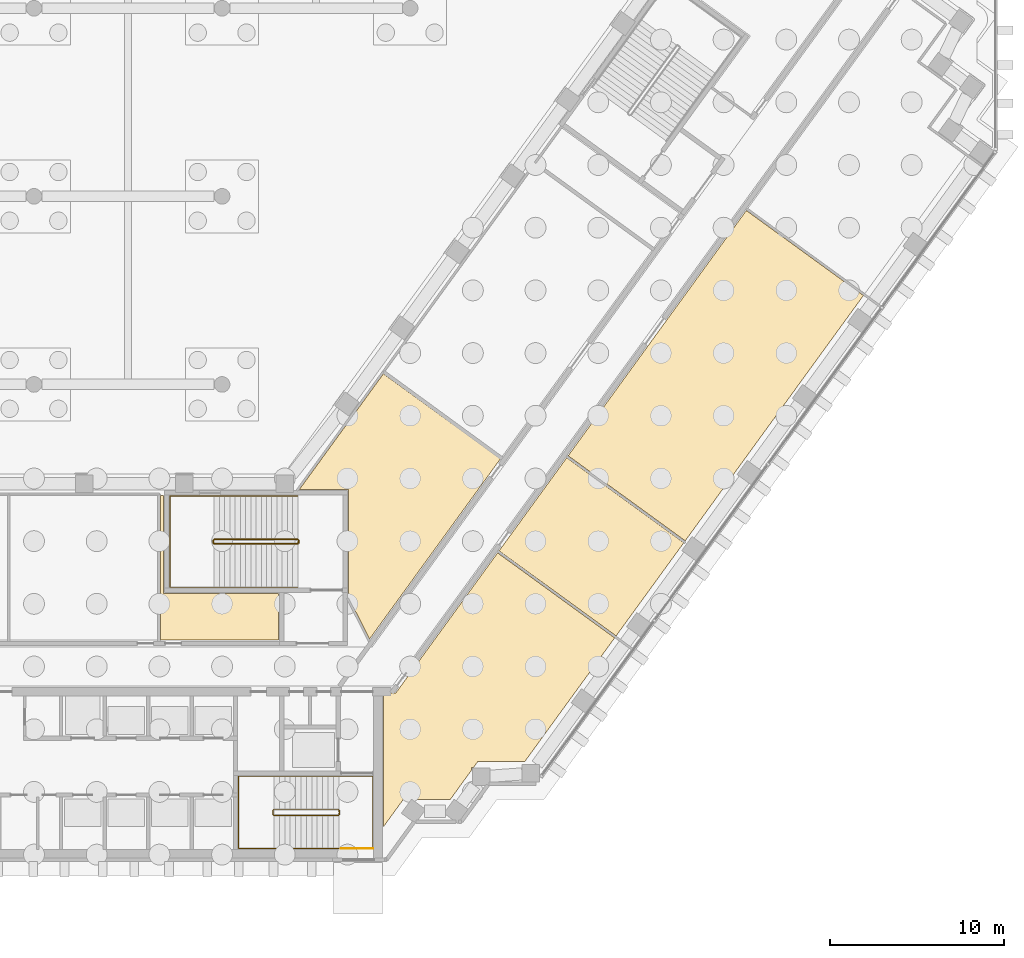
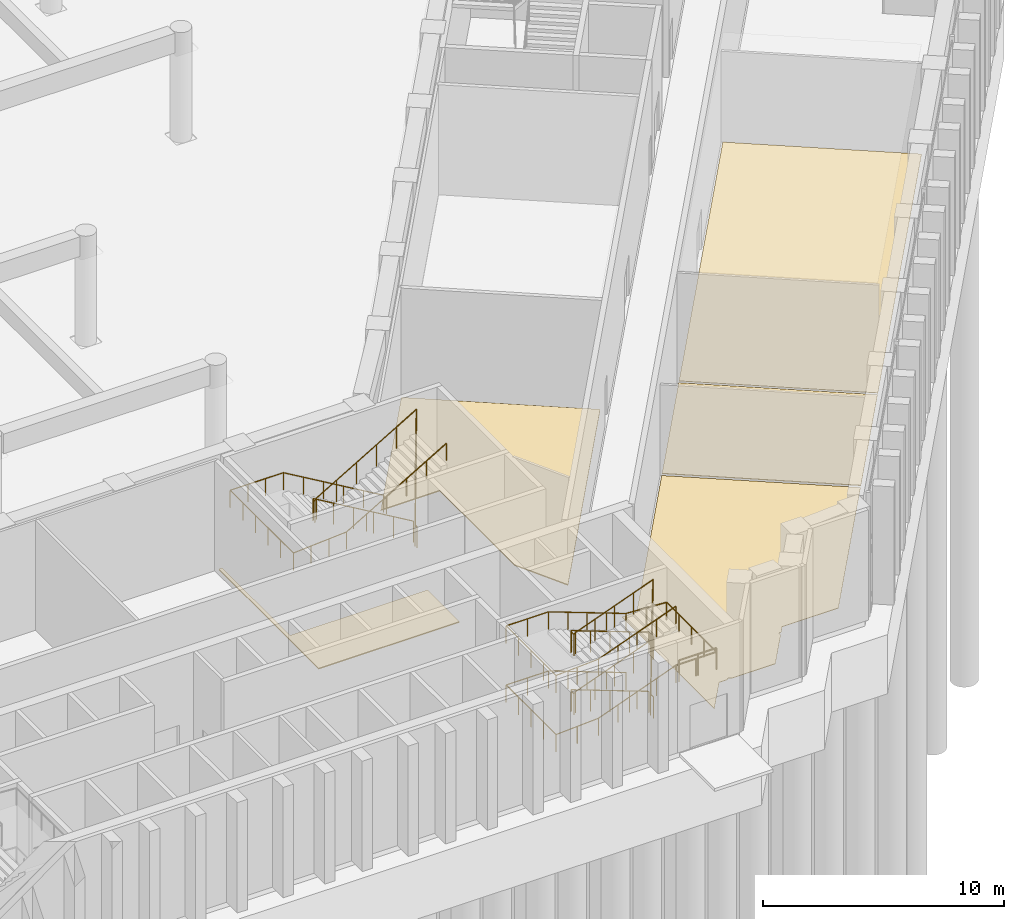
# One storey, part 27 of 32: 5 coverings, 5 railings.
"""IFC4 building model written with IfcOpenShell, lengths in metres."""

from ifc_helpers import new_model, si_unit, direction, frame, origin, origin_2d, place, context, subcontext, project, spatial, polyline, circle, outline, extrude, material, layer, layer_set, type_object, element, save


model = new_model("IFC4")

# Units and contexts
model_context = context("Model", 3, precision=1e-05, world=origin(), true_north=direction((0.0, 1.0)))
body_context = subcontext(model_context, "Body", "Model", "MODEL_VIEW")
ifc_project = project(units=[si_unit("LENGTHUNIT", "METRE"), si_unit("AREAUNIT", "SQUARE_METRE"), si_unit("VOLUMEUNIT", "CUBIC_METRE"), si_unit("PLANEANGLEUNIT", "RADIAN"), si_unit("MASSUNIT", "GRAM", prefix="KILO")], contexts=[model_context])

# Site, building, storey
site_placement = place(None, origin())
site = spatial("IfcSite", under=ifc_project, at=site_placement, CompositionType="ELEMENT")
building_placement = place(site_placement, origin())
building = spatial("IfcBuilding", under=site, at=building_placement, Name="Quipu Civic Tower", CompositionType="ELEMENT")
storey_placement = place(building_placement, origin())
storey = spatial("IfcBuildingStorey", under=building, at=storey_placement, Name="L00", CompositionType="ELEMENT", Elevation=0.0)

# Coverings
ifc_material_1 = material(Name="Carpet tile on raised access floor")
ifc_layer_1 = layer(ifc_material_1, 0.02001953125)
ifc_layer_set_1 = layer_set([ifc_layer_1], Name="Carpet tile on raised access floor")
covering_type_1 = type_object("IfcCoveringType", Name="Carpet tile floor finish 20", PredefinedType="FLOORING", material=ifc_layer_set_1)
covering_1_placement = place(storey_placement, origin())
element("IfcCovering", 1, at=covering_1_placement, inside=storey, type_object=covering_type_1, Name="Carpet tile floor finish 20", PredefinedType="FLOORING", context=body_context, shape_type="SweptSolid", body=[
    extrude(outline(polyline([(30.673095703125, 12.10302734375), (40.905029296875, 26.18798828125), (47.62890625, 21.304931640625), (37.39599609375, 7.218994140625), (30.673095703125, 12.10302734375)])), origin(), (0.0, 0.0, 1.0), 0.02001953125),
])
covering_2_placement = place(storey_placement, origin())
element("IfcCovering", 2, at=covering_2_placement, inside=storey, type_object=covering_type_1, Name="Carpet tile floor finish 20", PredefinedType="FLOORING", context=body_context, shape_type="SweptSolid", body=[
    extrude(outline(polyline([(20.070068359375, -9.195068359375), (20.070068359375, -1.52001953125), (20.77490234375, -1.51904296875), (26.6220703125, 6.529052734375), (33.344970703125, 1.64501953125), (28.181884765625, -5.4609375), (25.48193359375, -5.4619140625), (25.24609375, -5.787109375), (25.174072265625, -5.787109375), (25.1689453125, -5.787109375), (25.1650390625, -5.7880859375), (25.159912109375, -5.7890625), (25.155029296875, -5.791015625), (25.15087890625, -5.79296875), (25.14697265625, -5.794921875), (25.14306640625, -5.798095703125), (25.138916015625, -5.802001953125), (25.135986328125, -5.804931640625), (25.133056640625, -5.80908203125), (25.1298828125, -5.81298828125), (25.1279296875, -5.818115234375), (25.126953125, -5.822021484375), (25.125, -5.826904296875), (25.125, -5.83203125), (25.1240234375, -5.8369140625), (25.1240234375, -5.955078125), (23.89501953125, -7.64599609375), (21.806884765625, -7.64599609375), (21.7109375, -7.575927734375), (21.7060546875, -7.572998046875), (21.701904296875, -7.571044921875), (21.697998046875, -7.569091796875), (21.693115234375, -7.568115234375), (21.68798828125, -7.56689453125), (21.68310546875, -7.56689453125), (21.677978515625, -7.56689453125), (21.673095703125, -7.56689453125), (21.6689453125, -7.568115234375), (21.6640625, -7.570068359375), (21.658935546875, -7.572021484375), (21.655029296875, -7.573974609375), (21.65087890625, -7.576904296875), (21.64697265625, -7.580078125), (21.64404296875, -7.5830078125), (21.64111328125, -7.5869140625), (21.597900390625, -7.64599609375), (21.196044921875, -7.64599609375), (20.070068359375, -9.195068359375)])), origin(), (0.0, 0.0, 1.0), 0.02001953125),
])
ifc_material_2 = material(Name="Ceramic floor tile")
ifc_layer_2 = layer(ifc_material_2, 0.030029296875)
ifc_layer_set_2 = layer_set([ifc_layer_2], Name="Ceramic floor tile")
covering_type_2 = type_object("IfcCoveringType", Name="Ceramic tile floor finish 30", PredefinedType="FLOORING", material=ifc_layer_set_2)
covering_3_placement = place(storey_placement, origin())
element("IfcCovering", 3, at=covering_3_placement, inside=storey, type_object=covering_type_2, Name="Ceramic tile floor finish 30", PredefinedType="FLOORING", context=body_context, shape_type="SweptSolid", body=[
    extrude(outline(polyline([(26.705078125, 6.64208984375), (30.590087890625, 11.989990234375), (37.31298828125, 7.10595703125), (33.427978515625, 1.758056640625), (26.705078125, 6.64208984375)])), origin(), (0.0, 0.0, 1.0), 0.030029296875),
])
ifc_material_3 = material(Name="Sealed cement screed")
ifc_layer_3 = layer(ifc_material_3, 0.050048828125)
ifc_layer_set_3 = layer_set([ifc_layer_3], Name="Sealed cement screed")
covering_type_3 = type_object("IfcCoveringType", Name="Sealed screed floor finish 50", PredefinedType="FLOORING", material=ifc_layer_set_3)
covering_4_placement = place(storey_placement, origin())
element("IfcCovering", 4, at=covering_4_placement, inside=storey, type_object=covering_type_3, Name="Sealed screed floor finish 50", PredefinedType="FLOORING", context=body_context, shape_type="SweptSolid", body=[
    extrude(outline(polyline([(15.238037109375, 10.169921875), (20.06103515625, 16.80810546875), (26.783935546875, 11.925048828125), (19.27197265625, 1.583984375), (18.070068359375, 3.94189453125), (18.070068359375, 10.1689453125), (15.238037109375, 10.169921875)])), origin(), (0.0, 0.0, 1.0), 0.050048828125),
])
covering_5_placement = place(storey_placement, origin())
element("IfcCovering", 5, at=covering_5_placement, inside=storey, type_object=covering_type_3, Name="Sealed screed floor finish 50", PredefinedType="FLOORING", context=body_context, shape_type="SweptSolid", body=[
    extrude(outline(polyline([(7.26806640625, 1.52001953125), (7.26806640625, 9.830078125), (7.429931640625, 9.830078125), (7.429931640625, 4.180908203125), (14.030029296875, 4.179931640625), (14.030029296875, 1.52001953125), (7.26806640625, 1.52001953125)])), origin(), (0.0, 0.0, 1.0), 0.050048828125),
])

# Railings
ifc_material_4 = material(Name="Stainless steel", Category="steel")
railing_type_1 = type_object("IfcRailingType", Name="Stair guard 1100", PredefinedType="GUARDRAIL", material=ifc_material_4)
railing_1_placement = place(storey_placement, frame((17.5, -8.199951171875, 0.115478515625)))
element("IfcRailing", 6, at=railing_1_placement, inside=storey, type_object=railing_type_1, Name="Stair 2 guard", PredefinedType="GUARDRAIL", context=body_context, shape_type="SweptSolid", body=[
    extrude(circle(Radius=0.02392578125, at=origin_2d()), frame((0.0, 0.0, 1.076171875), z_axis=(-0.937193329374, 0.0, 0.348810354458), x_axis=(0.0, -1.0, 0.0)), (0.0, 0.0, 1.0), 3.96923828125),
    extrude(circle(Radius=0.02392578125, at=origin_2d()), frame((-3.719970703125, 0.0, 2.46044921875), z_axis=(-0.707106781187, -0.707106781187, 0.0), x_axis=(0.707106781187, -0.707106781187, 0.0)), (0.0, 0.0, 1.0), 0.07080078125),
    extrude(circle(Radius=0.02392578125, at=origin_2d()), frame((-3.77001953125, -0.050048828125, 2.46044921875), z_axis=(0.0, -1.0, 0.0), x_axis=(1.0, 0.0, 0.0)), (0.0, 0.0, 1.0), 0.25),
    extrude(circle(Radius=0.02392578125, at=origin_2d()), frame((-3.77001953125, -0.300048828125, 2.46044921875), z_axis=(0.3695169537, -0.3695169537, 0.852592776099), x_axis=(0.707106781187, 0.707106781187, 0.0)), (0.0, 0.0, 1.0), 0.135498046875),
    extrude(circle(Radius=0.02392578125, at=origin_2d()), frame((-3.719970703125, -0.35009765625, 2.576171875), z_axis=(0.937193329374, 0.0, 0.348810354458), x_axis=(0.0, 1.0, 0.0)), (0.0, 0.0, 1.0), 3.96923828125),
    extrude(circle(Radius=0.02392578125, at=origin_2d()), frame((0.0, -0.35009765625, 3.96044921875), z_axis=(0.164529134168, 0.986372223864, 0.0), x_axis=(-0.986372223864, 0.164529134168, 0.0)), (0.0, 0.0, 1.0), 0.30419921875),
    extrude(circle(Radius=0.02392578125, at=origin_2d()), frame((0.050048828125, -0.050048828125, 3.96044921875), z_axis=(0.0, -1.0, 0.0), x_axis=(1.0, 0.0, 0.0)), (0.0, 0.0, 1.0), 0.25),
    extrude(circle(Radius=0.02392578125, at=origin_2d()), frame((0.050048828125, -0.300048828125, 3.96044921875), z_axis=(-0.153818488509, 0.922160596963, 0.354908024706), x_axis=(-0.986372223864, -0.164529134168, 0.0)), (0.0, 0.0, 1.0), 0.325439453125),
    extrude(circle(Radius=0.02392578125, at=origin_2d()), frame((0.0, 0.0, 4.076171875), z_axis=(-0.937193329374, 0.0, 0.348810354458), x_axis=(0.0, -1.0, 0.0)), (0.0, 0.0, 1.0), 3.96923828125),
    extrude(circle(Radius=0.02392578125, at=origin_2d()), frame((-3.719970703125, 0.0, 5.46044921875), z_axis=(-0.707106781187, -0.707106781187, 0.0), x_axis=(0.707106781187, -0.707106781187, 0.0)), (0.0, 0.0, 1.0), 0.07080078125),
    extrude(circle(Radius=0.02392578125, at=origin_2d()), frame((-3.77001953125, -0.050048828125, 5.46044921875), z_axis=(0.0, -1.0, 0.0), x_axis=(1.0, 0.0, 0.0)), (0.0, 0.0, 1.0), 0.25),
    extrude(circle(Radius=0.02392578125, at=origin_2d()), frame((-3.77001953125, -0.300048828125, 5.46044921875), z_axis=(0.3695169537, -0.3695169537, 0.852592776099), x_axis=(0.707106781187, 0.707106781187, 0.0)), (0.0, 0.0, 1.0), 0.135498046875),
    extrude(circle(Radius=0.02392578125, at=origin_2d()), frame((-3.719970703125, -0.35009765625, 5.576171875), z_axis=(0.937193329374, 0.0, 0.348810354458), x_axis=(0.0, 1.0, 0.0)), (0.0, 0.0, 1.0), 3.96923828125),
    extrude(circle(Radius=0.02392578125, at=origin_2d()), frame((0.0, -0.35009765625, 6.96044921875), z_axis=(0.008330771543, 0.049943991347, -0.998717275296), x_axis=(-0.986372223864, 0.164529134168, 0.0)), (0.0, 0.0, 1.0), 6.0078125),
    extrude(circle(Radius=0.02392578125, at=origin_2d()), frame((0.050048828125, -0.050048828125, 0.96044921875), z_axis=(0.0, -1.0, 0.0), x_axis=(1.0, 0.0, 0.0)), (0.0, 0.0, 1.0), 0.25),
    extrude(circle(Radius=0.02099609375, at=origin_2d()), origin(), (0.0, 0.0, 1.0), 1.052001953125),
    extrude(circle(Radius=0.02099609375, at=origin_2d()), frame((-0.929931640625, 0.0, 0.34619140625)), (0.0, 0.0, 1.0), 1.052001953125),
    extrude(circle(Radius=0.02099609375, at=origin_2d()), frame((-1.85986328125, 0.0, 0.6923828125)), (0.0, 0.0, 1.0), 1.052001953125),
    extrude(circle(Radius=0.02099609375, at=origin_2d()), frame((-2.7900390625, 0.0, 1.038330078125)), (0.0, 0.0, 1.0), 1.052001953125),
    extrude(circle(Radius=0.02099609375, at=origin_2d()), frame((-3.719970703125, 0.0, 1.384521484375)), (0.0, 0.0, 1.0), 1.052001953125),
    extrude(circle(Radius=0.02099609375, at=origin_2d()), frame((-3.77001953125, -0.050048828125, 1.384521484375)), (0.0, 0.0, 1.0), 1.052001953125),
    extrude(circle(Radius=0.02099609375, at=origin_2d()), frame((-3.77001953125, -0.300048828125, 1.384521484375)), (0.0, 0.0, 1.0), 1.052001953125),
    extrude(circle(Radius=0.02099609375, at=origin_2d()), frame((-3.719970703125, -0.35009765625, 1.5)), (0.0, 0.0, 1.0), 1.052001953125),
    extrude(circle(Radius=0.02099609375, at=origin_2d()), frame((-2.7900390625, -0.35009765625, 1.84619140625)), (0.0, 0.0, 1.0), 1.052001953125),
    extrude(circle(Radius=0.02099609375, at=origin_2d()), frame((-1.85986328125, -0.35009765625, 2.1923828125)), (0.0, 0.0, 1.0), 1.052001953125),
    extrude(circle(Radius=0.02099609375, at=origin_2d()), frame((-0.929931640625, -0.35009765625, 2.538330078125)), (0.0, 0.0, 1.0), 1.052001953125),
    extrude(circle(Radius=0.02099609375, at=origin_2d()), frame((0.0, -0.35009765625, 2.884521484375)), (0.0, 0.0, 1.0), 1.052001953125),
    extrude(circle(Radius=0.02099609375, at=origin_2d()), frame((0.050048828125, -0.050048828125, 2.884521484375)), (0.0, 0.0, 1.0), 1.052001953125),
    extrude(circle(Radius=0.02099609375, at=origin_2d()), frame((0.050048828125, -0.300048828125, 2.884521484375)), (0.0, 0.0, 1.0), 1.052001953125),
    extrude(circle(Radius=0.02099609375, at=origin_2d()), frame((0.0, 0.0, 3.0)), (0.0, 0.0, 1.0), 1.052001953125),
    extrude(circle(Radius=0.02099609375, at=origin_2d()), frame((-0.929931640625, 0.0, 3.34619140625)), (0.0, 0.0, 1.0), 1.052001953125),
    extrude(circle(Radius=0.02099609375, at=origin_2d()), frame((-1.85986328125, 0.0, 3.6923828125)), (0.0, 0.0, 1.0), 1.052001953125),
    extrude(circle(Radius=0.02099609375, at=origin_2d()), frame((-2.7900390625, 0.0, 4.038330078125)), (0.0, 0.0, 1.0), 1.052001953125),
    extrude(circle(Radius=0.02099609375, at=origin_2d()), frame((-3.719970703125, 0.0, 4.384521484375)), (0.0, 0.0, 1.0), 1.052001953125),
    extrude(circle(Radius=0.02099609375, at=origin_2d()), frame((-3.77001953125, -0.050048828125, 4.384521484375)), (0.0, 0.0, 1.0), 1.052001953125),
    extrude(circle(Radius=0.02099609375, at=origin_2d()), frame((-3.77001953125, -0.300048828125, 4.384521484375)), (0.0, 0.0, 1.0), 1.052001953125),
    extrude(circle(Radius=0.02099609375, at=origin_2d()), frame((-3.719970703125, -0.35009765625, 4.5)), (0.0, 0.0, 1.0), 1.052001953125),
    extrude(circle(Radius=0.02099609375, at=origin_2d()), frame((-2.7900390625, -0.35009765625, 4.84619140625)), (0.0, 0.0, 1.0), 1.052001953125),
    extrude(circle(Radius=0.02099609375, at=origin_2d()), frame((-1.85986328125, -0.35009765625, 5.1923828125)), (0.0, 0.0, 1.0), 1.052001953125),
    extrude(circle(Radius=0.02099609375, at=origin_2d()), frame((-0.929931640625, -0.35009765625, 5.538330078125)), (0.0, 0.0, 1.0), 1.052001953125),
    extrude(circle(Radius=0.02099609375, at=origin_2d()), frame((0.0, -0.35009765625, 5.884521484375)), (0.0, 0.0, 1.0), 1.052001953125),
    extrude(circle(Radius=0.02099609375, at=origin_2d()), frame((0.00830078125, -0.300048828125, 4.884521484375)), (0.0, 0.0, 1.0), 1.052001953125),
    extrude(circle(Radius=0.02099609375, at=origin_2d()), frame((0.0166015625, -0.25, 3.884521484375)), (0.0, 0.0, 1.0), 1.052001953125),
    extrude(circle(Radius=0.02099609375, at=origin_2d()), frame((0.02490234375, -0.2001953125, 2.884521484375)), (0.0, 0.0, 1.0), 1.052001953125),
    extrude(circle(Radius=0.02099609375, at=origin_2d()), frame((0.033447265625, -0.150146484375, 1.884521484375)), (0.0, 0.0, 1.0), 1.052001953125),
    extrude(circle(Radius=0.02099609375, at=origin_2d()), frame((0.041748046875, -0.10009765625, 0.884521484375)), (0.0, 0.0, 1.0), 1.052001953125),
    extrude(circle(Radius=0.02099609375, at=origin_2d()), frame((0.050048828125, -0.050048828125, -0.115478515625)), (0.0, 0.0, 1.0), 1.052001953125),
    extrude(circle(Radius=0.02099609375, at=origin_2d()), frame((0.050048828125, -0.300048828125, -0.115478515625)), (0.0, 0.0, 1.0), 1.052001953125),
])
railing_2_placement = place(storey_placement, frame((15.14990234375, 7.300048828125, 0.176513671875)))
element("IfcRailing", 7, at=railing_2_placement, inside=storey, type_object=railing_type_1, Name="Stair 4 guard", PredefinedType="GUARDRAIL", context=body_context, shape_type="SweptSolid", body=[
    extrude(circle(Radius=0.02392578125, at=origin_2d()), frame((0.0, 0.0, 1.076171875), z_axis=(-0.86192857992, 0.0, 0.507029706346), x_axis=(0.0, -1.0, 0.0)), (0.0, 0.0, 1.0), 5.568603515625),
    extrude(circle(Radius=0.02392578125, at=origin_2d()), frame((-4.7998046875, 0.0, 3.8994140625), z_axis=(-0.707106781187, -0.707106781187, 0.0), x_axis=(0.707106781187, -0.707106781187, 0.0)), (0.0, 0.0, 1.0), 0.07080078125),
    extrude(circle(Radius=0.02392578125, at=origin_2d()), frame((-4.849853515625, -0.050048828125, 3.8994140625), z_axis=(0.0, -1.0, 0.0), x_axis=(1.0, 0.0, 0.0)), (0.0, 0.0, 1.0), 0.14990234375),
    extrude(circle(Radius=0.02392578125, at=origin_2d()), frame((-4.849853515625, -0.199951171875, 3.8994140625), z_axis=(0.263171338983, -0.263171338983, 0.928160380902), x_axis=(0.707106781187, 0.707106781187, 0.0)), (0.0, 0.0, 1.0), 0.190185546875),
    extrude(circle(Radius=0.02392578125, at=origin_2d()), frame((-4.7998046875, -0.25, 4.076171875), z_axis=(0.86192857992, 0.0, 0.507029706346), x_axis=(0.0, 1.0, 0.0)), (0.0, 0.0, 1.0), 5.568603515625),
    extrude(circle(Radius=0.02392578125, at=origin_2d()), frame((0.0, -0.25, 6.8994140625), z_axis=(0.008336553618, 0.033305548356, -0.999410447375), x_axis=(-0.970072785993, 0.242814311512, 0.0)), (0.0, 0.0, 1.0), 6.00341796875),
    extrude(circle(Radius=0.02392578125, at=origin_2d()), frame((0.050048828125, -0.050048828125, 0.8994140625), z_axis=(0.0, -1.0, 0.0), x_axis=(1.0, 0.0, 0.0)), (0.0, 0.0, 1.0), 0.14990234375),
    extrude(circle(Radius=0.02099609375, at=origin_2d()), origin(), (0.0, 0.0, 1.0), 1.052001953125),
    extrude(circle(Radius=0.02099609375, at=origin_2d()), frame((-0.9599609375, 0.0, 0.564697265625)), (0.0, 0.0, 1.0), 1.052001953125),
    extrude(circle(Radius=0.02099609375, at=origin_2d()), frame((-1.919921875, 0.0, 1.12939453125)), (0.0, 0.0, 1.0), 1.052001953125),
    extrude(circle(Radius=0.02099609375, at=origin_2d()), frame((-2.8798828125, 0.0, 1.694091796875)), (0.0, 0.0, 1.0), 1.052001953125),
    extrude(circle(Radius=0.02099609375, at=origin_2d()), frame((-3.83984375, 0.0, 2.2587890625)), (0.0, 0.0, 1.0), 1.052001953125),
    extrude(circle(Radius=0.02099609375, at=origin_2d()), frame((-4.7998046875, 0.0, 2.823486328125)), (0.0, 0.0, 1.0), 1.052001953125),
    extrude(circle(Radius=0.02099609375, at=origin_2d()), frame((-4.849853515625, -0.050048828125, 2.823486328125)), (0.0, 0.0, 1.0), 1.052001953125),
    extrude(circle(Radius=0.02099609375, at=origin_2d()), frame((-4.849853515625, -0.199951171875, 2.823486328125)), (0.0, 0.0, 1.0), 1.052001953125),
    extrude(circle(Radius=0.02099609375, at=origin_2d()), frame((-4.7998046875, -0.25, 3.0)), (0.0, 0.0, 1.0), 1.052001953125),
    extrude(circle(Radius=0.02099609375, at=origin_2d()), frame((-3.83984375, -0.25, 3.564697265625)), (0.0, 0.0, 1.0), 1.052001953125),
    extrude(circle(Radius=0.02099609375, at=origin_2d()), frame((-2.8798828125, -0.25, 4.12939453125)), (0.0, 0.0, 1.0), 1.052001953125),
    extrude(circle(Radius=0.02099609375, at=origin_2d()), frame((-1.919921875, -0.25, 4.694091796875)), (0.0, 0.0, 1.0), 1.052001953125),
    extrude(circle(Radius=0.02099609375, at=origin_2d()), frame((-0.9599609375, -0.25, 5.2587890625)), (0.0, 0.0, 1.0), 1.052001953125),
    extrude(circle(Radius=0.02099609375, at=origin_2d()), frame((0.0, -0.25, 5.823486328125)), (0.0, 0.0, 1.0), 1.052001953125),
    extrude(circle(Radius=0.02099609375, at=origin_2d()), frame((0.00830078125, -0.216796875, 4.823486328125)), (0.0, 0.0, 1.0), 1.052001953125),
    extrude(circle(Radius=0.02099609375, at=origin_2d()), frame((0.0166015625, -0.183349609375, 3.823486328125)), (0.0, 0.0, 1.0), 1.052001953125),
    extrude(circle(Radius=0.02099609375, at=origin_2d()), frame((0.02490234375, -0.14990234375, 2.823486328125)), (0.0, 0.0, 1.0), 1.052001953125),
    extrude(circle(Radius=0.02099609375, at=origin_2d()), frame((0.033447265625, -0.11669921875, 1.823486328125)), (0.0, 0.0, 1.0), 1.052001953125),
    extrude(circle(Radius=0.02099609375, at=origin_2d()), frame((0.041748046875, -0.08349609375, 0.823486328125)), (0.0, 0.0, 1.0), 1.052001953125),
    extrude(circle(Radius=0.02099609375, at=origin_2d()), frame((0.050048828125, -0.050048828125, -0.176513671875)), (0.0, 0.0, 1.0), 1.052001953125),
    extrude(circle(Radius=0.02099609375, at=origin_2d()), frame((0.050048828125, -0.199951171875, -0.176513671875)), (0.0, 0.0, 1.0), 1.052001953125),
])
railing_3_placement = place(storey_placement, frame((17.64990234375, -10.449951171875, 3.0)))
element("IfcRailing", 8, at=railing_3_placement, inside=storey, type_object=railing_type_1, Name="Stair 2 landing guard", PredefinedType="GUARDRAIL", context=body_context, shape_type="SweptSolid", body=[
    extrude(circle(Radius=0.02392578125, at=origin_2d()), frame((0.0, 0.0, 1.076171875), z_axis=(1.0, 0.0, 0.0), x_axis=(0.0, 1.0, 0.0)), (0.0, 0.0, 1.0), 1.800048828125),
    extrude(circle(Radius=0.02099609375, at=origin_2d()), origin(), (0.0, 0.0, 1.0), 1.052001953125),
    extrude(circle(Radius=0.02099609375, at=origin_2d()), frame((0.89990234375, 0.0, 0.0)), (0.0, 0.0, 1.0), 1.052001953125),
    extrude(circle(Radius=0.02099609375, at=origin_2d()), frame((1.800048828125, 0.0, 0.0)), (0.0, 0.0, 1.0), 1.052001953125),
])
ifc_material_5 = material(Name="Stainless steel", Category="steel")
railing_type_2 = type_object("IfcRailingType", Name="Stair handrail", PredefinedType="HANDRAIL", material=ifc_material_5)
railing_4_placement = place(storey_placement, frame((17.5, -6.300048828125, 0.115478515625)))
element("IfcRailing", 9, at=railing_4_placement, inside=storey, type_object=railing_type_2, Name="Stair 2 handrail", PredefinedType="HANDRAIL", context=body_context, shape_type="SweptSolid", body=[
    extrude(circle(Radius=0.02392578125, at=origin_2d()), frame((0.0, 0.0, 0.8759765625), z_axis=(-0.937193329374, 0.0, 0.348810354458), x_axis=(0.0, -1.0, 0.0)), (0.0, 0.0, 1.0), 3.96923828125),
    extrude(circle(Radius=0.02392578125, at=origin_2d()), frame((-3.719970703125, 0.0, 2.26025390625), z_axis=(-1.0, 0.0, 0.0), x_axis=(0.0, -1.0, 0.0)), (0.0, 0.0, 1.0), 2.030029296875),
    extrude(circle(Radius=0.02392578125, at=origin_2d()), frame((-5.75, 0.0, 2.26025390625), z_axis=(0.0, -1.0, 0.0), x_axis=(1.0, 0.0, 0.0)), (0.0, 0.0, 1.0), 4.14990234375),
    extrude(circle(Radius=0.02392578125, at=origin_2d()), frame((-5.75, -4.14990234375, 2.26025390625), z_axis=(0.99838595614, 0.0, 0.056793332201), x_axis=(0.0, 1.0, 0.0)), (0.0, 0.0, 1.0), 2.033203125),
    extrude(circle(Radius=0.02392578125, at=origin_2d()), frame((-3.719970703125, -4.14990234375, 2.3759765625), z_axis=(0.937193329374, 0.0, 0.348810354458), x_axis=(0.0, 1.0, 0.0)), (0.0, 0.0, 1.0), 3.96923828125),
    extrude(circle(Radius=0.02392578125, at=origin_2d()), frame((0.0, -4.14990234375, 3.76025390625), z_axis=(1.0, 0.0, 0.0), x_axis=(0.0, 1.0, 0.0)), (0.0, 0.0, 1.0), 1.949951171875),
    extrude(circle(Radius=0.02392578125, at=origin_2d()), frame((1.949951171875, -4.14990234375, 3.76025390625), z_axis=(0.0, 1.0, 0.0), x_axis=(-1.0, 0.0, 0.0)), (0.0, 0.0, 1.0), 4.14990234375),
    extrude(circle(Radius=0.02392578125, at=origin_2d()), frame((1.949951171875, 0.0, 3.76025390625), z_axis=(-0.998251021802, 0.0, 0.059117657858), x_axis=(0.0, -1.0, 0.0)), (0.0, 0.0, 1.0), 1.953369140625),
    extrude(circle(Radius=0.02392578125, at=origin_2d()), frame((0.0, 0.0, 3.8759765625), z_axis=(-0.937193329374, 0.0, 0.348810354458), x_axis=(0.0, -1.0, 0.0)), (0.0, 0.0, 1.0), 3.96923828125),
    extrude(circle(Radius=0.02392578125, at=origin_2d()), frame((-3.719970703125, 0.0, 5.26025390625), z_axis=(-1.0, 0.0, 0.0), x_axis=(0.0, -1.0, 0.0)), (0.0, 0.0, 1.0), 2.030029296875),
    extrude(circle(Radius=0.02392578125, at=origin_2d()), frame((-5.75, 0.0, 5.26025390625), z_axis=(0.0, -1.0, 0.0), x_axis=(1.0, 0.0, 0.0)), (0.0, 0.0, 1.0), 4.14990234375),
    extrude(circle(Radius=0.02392578125, at=origin_2d()), frame((-5.75, -4.14990234375, 5.26025390625), z_axis=(0.99838595614, 0.0, 0.056793332201), x_axis=(0.0, 1.0, 0.0)), (0.0, 0.0, 1.0), 2.033203125),
    extrude(circle(Radius=0.02392578125, at=origin_2d()), frame((-3.719970703125, -4.14990234375, 5.3759765625), z_axis=(0.937193329374, 0.0, 0.348810354458), x_axis=(0.0, 1.0, 0.0)), (0.0, 0.0, 1.0), 3.96923828125),
    extrude(circle(Radius=0.02099609375, at=origin_2d()), origin(), (0.0, 0.0, 1.0), 0.851806640625),
    extrude(circle(Radius=0.02099609375, at=origin_2d()), frame((-0.929931640625, 0.0, 0.34619140625)), (0.0, 0.0, 1.0), 0.851806640625),
    extrude(circle(Radius=0.02099609375, at=origin_2d()), frame((-1.85986328125, 0.0, 0.6923828125)), (0.0, 0.0, 1.0), 0.851806640625),
    extrude(circle(Radius=0.02099609375, at=origin_2d()), frame((-2.7900390625, 0.0, 1.038330078125)), (0.0, 0.0, 1.0), 0.851806640625),
    extrude(circle(Radius=0.02099609375, at=origin_2d()), frame((-3.719970703125, 0.0, 1.384521484375)), (0.0, 0.0, 1.0), 0.851806640625),
    extrude(circle(Radius=0.02099609375, at=origin_2d()), frame((-4.73486328125, 0.0, 1.384521484375)), (0.0, 0.0, 1.0), 0.851806640625),
    extrude(circle(Radius=0.02099609375, at=origin_2d()), frame((-5.75, 0.0, 1.384521484375)), (0.0, 0.0, 1.0), 0.851806640625),
    extrude(circle(Radius=0.02099609375, at=origin_2d()), frame((-5.75, -1.03759765625, 1.384521484375)), (0.0, 0.0, 1.0), 0.851806640625),
    extrude(circle(Radius=0.02099609375, at=origin_2d()), frame((-5.75, -2.074951171875, 1.384521484375)), (0.0, 0.0, 1.0), 0.851806640625),
    extrude(circle(Radius=0.02099609375, at=origin_2d()), frame((-5.75, -3.1123046875, 1.384521484375)), (0.0, 0.0, 1.0), 0.851806640625),
    extrude(circle(Radius=0.02099609375, at=origin_2d()), frame((-5.75, -4.14990234375, 1.384521484375)), (0.0, 0.0, 1.0), 0.851806640625),
    extrude(circle(Radius=0.02099609375, at=origin_2d()), frame((-4.73486328125, -4.14990234375, 1.4423828125)), (0.0, 0.0, 1.0), 0.851806640625),
    extrude(circle(Radius=0.02099609375, at=origin_2d()), frame((-3.719970703125, -4.14990234375, 1.5)), (0.0, 0.0, 1.0), 0.851806640625),
    extrude(circle(Radius=0.02099609375, at=origin_2d()), frame((-2.7900390625, -4.14990234375, 1.84619140625)), (0.0, 0.0, 1.0), 0.851806640625),
    extrude(circle(Radius=0.02099609375, at=origin_2d()), frame((-1.85986328125, -4.14990234375, 2.1923828125)), (0.0, 0.0, 1.0), 0.851806640625),
    extrude(circle(Radius=0.02099609375, at=origin_2d()), frame((-0.929931640625, -4.14990234375, 2.538330078125)), (0.0, 0.0, 1.0), 0.851806640625),
    extrude(circle(Radius=0.02099609375, at=origin_2d()), frame((0.0, -4.14990234375, 2.884521484375)), (0.0, 0.0, 1.0), 0.851806640625),
    extrude(circle(Radius=0.02099609375, at=origin_2d()), frame((0.97509765625, -4.14990234375, 2.884521484375)), (0.0, 0.0, 1.0), 0.851806640625),
    extrude(circle(Radius=0.02099609375, at=origin_2d()), frame((1.949951171875, -4.14990234375, 2.884521484375)), (0.0, 0.0, 1.0), 0.851806640625),
    extrude(circle(Radius=0.02099609375, at=origin_2d()), frame((1.949951171875, -3.1123046875, 2.884521484375)), (0.0, 0.0, 1.0), 0.851806640625),
    extrude(circle(Radius=0.02099609375, at=origin_2d()), frame((1.949951171875, -2.074951171875, 2.884521484375)), (0.0, 0.0, 1.0), 0.851806640625),
    extrude(circle(Radius=0.02099609375, at=origin_2d()), frame((1.949951171875, -1.03759765625, 2.884521484375)), (0.0, 0.0, 1.0), 0.851806640625),
    extrude(circle(Radius=0.02099609375, at=origin_2d()), frame((1.949951171875, 0.0, 2.884521484375)), (0.0, 0.0, 1.0), 0.851806640625),
    extrude(circle(Radius=0.02099609375, at=origin_2d()), frame((0.97509765625, 0.0, 2.9423828125)), (0.0, 0.0, 1.0), 0.851806640625),
    extrude(circle(Radius=0.02099609375, at=origin_2d()), frame((0.0, 0.0, 3.0)), (0.0, 0.0, 1.0), 0.851806640625),
    extrude(circle(Radius=0.02099609375, at=origin_2d()), frame((-0.929931640625, 0.0, 3.34619140625)), (0.0, 0.0, 1.0), 0.851806640625),
    extrude(circle(Radius=0.02099609375, at=origin_2d()), frame((-1.85986328125, 0.0, 3.6923828125)), (0.0, 0.0, 1.0), 0.851806640625),
    extrude(circle(Radius=0.02099609375, at=origin_2d()), frame((-2.7900390625, 0.0, 4.038330078125)), (0.0, 0.0, 1.0), 0.851806640625),
    extrude(circle(Radius=0.02099609375, at=origin_2d()), frame((-3.719970703125, 0.0, 4.384521484375)), (0.0, 0.0, 1.0), 0.851806640625),
    extrude(circle(Radius=0.02099609375, at=origin_2d()), frame((-4.73486328125, 0.0, 4.384521484375)), (0.0, 0.0, 1.0), 0.851806640625),
    extrude(circle(Radius=0.02099609375, at=origin_2d()), frame((-5.75, 0.0, 4.384521484375)), (0.0, 0.0, 1.0), 0.851806640625),
    extrude(circle(Radius=0.02099609375, at=origin_2d()), frame((-5.75, -1.03759765625, 4.384521484375)), (0.0, 0.0, 1.0), 0.851806640625),
    extrude(circle(Radius=0.02099609375, at=origin_2d()), frame((-5.75, -2.074951171875, 4.384521484375)), (0.0, 0.0, 1.0), 0.851806640625),
    extrude(circle(Radius=0.02099609375, at=origin_2d()), frame((-5.75, -3.1123046875, 4.384521484375)), (0.0, 0.0, 1.0), 0.851806640625),
    extrude(circle(Radius=0.02099609375, at=origin_2d()), frame((-5.75, -4.14990234375, 4.384521484375)), (0.0, 0.0, 1.0), 0.851806640625),
    extrude(circle(Radius=0.02099609375, at=origin_2d()), frame((-4.73486328125, -4.14990234375, 4.4423828125)), (0.0, 0.0, 1.0), 0.851806640625),
    extrude(circle(Radius=0.02099609375, at=origin_2d()), frame((-3.719970703125, -4.14990234375, 4.5)), (0.0, 0.0, 1.0), 0.851806640625),
    extrude(circle(Radius=0.02099609375, at=origin_2d()), frame((-2.7900390625, -4.14990234375, 4.84619140625)), (0.0, 0.0, 1.0), 0.851806640625),
    extrude(circle(Radius=0.02099609375, at=origin_2d()), frame((-1.85986328125, -4.14990234375, 5.1923828125)), (0.0, 0.0, 1.0), 0.851806640625),
    extrude(circle(Radius=0.02099609375, at=origin_2d()), frame((-0.929931640625, -4.14990234375, 5.538330078125)), (0.0, 0.0, 1.0), 0.851806640625),
    extrude(circle(Radius=0.02099609375, at=origin_2d()), frame((0.0, -4.14990234375, 5.884521484375)), (0.0, 0.0, 1.0), 0.851806640625),
])
railing_5_placement = place(storey_placement, frame((15.14990234375, 9.800048828125, 0.176513671875)))
element("IfcRailing", 10, at=railing_5_placement, inside=storey, type_object=railing_type_2, Name="Stair 4 handrail", PredefinedType="HANDRAIL", context=body_context, shape_type="SweptSolid", body=[
    extrude(circle(Radius=0.02392578125, at=origin_2d()), frame((0.0, 0.0, 0.8759765625), z_axis=(-0.86192857992, 0.0, 0.507029706346), x_axis=(0.0, -1.0, 0.0)), (0.0, 0.0, 1.0), 5.568603515625),
    extrude(circle(Radius=0.02392578125, at=origin_2d()), frame((-4.7998046875, 0.0, 3.69921875), z_axis=(-1.0, 0.0, 0.0), x_axis=(0.0, -1.0, 0.0)), (0.0, 0.0, 1.0), 2.550048828125),
    extrude(circle(Radius=0.02392578125, at=origin_2d()), frame((-7.349853515625, 0.0, 3.69921875), z_axis=(0.0, -1.0, 0.0), x_axis=(1.0, 0.0, 0.0)), (0.0, 0.0, 1.0), 5.25),
    extrude(circle(Radius=0.02392578125, at=origin_2d()), frame((-7.349853515625, -5.25, 3.69921875), z_axis=(0.997612889748, 0.0, 0.069054487246), x_axis=(0.0, 1.0, 0.0)), (0.0, 0.0, 1.0), 2.55615234375),
    extrude(circle(Radius=0.02392578125, at=origin_2d()), frame((-4.7998046875, -5.25, 3.8759765625), z_axis=(0.86192857992, 0.0, 0.507029706346), x_axis=(0.0, 1.0, 0.0)), (0.0, 0.0, 1.0), 5.568603515625),
    extrude(circle(Radius=0.02099609375, at=origin_2d()), origin(), (0.0, 0.0, 1.0), 0.851806640625),
    extrude(circle(Radius=0.02099609375, at=origin_2d()), frame((-0.9599609375, 0.0, 0.564697265625)), (0.0, 0.0, 1.0), 0.851806640625),
    extrude(circle(Radius=0.02099609375, at=origin_2d()), frame((-1.919921875, 0.0, 1.12939453125)), (0.0, 0.0, 1.0), 0.851806640625),
    extrude(circle(Radius=0.02099609375, at=origin_2d()), frame((-2.8798828125, 0.0, 1.694091796875)), (0.0, 0.0, 1.0), 0.851806640625),
    extrude(circle(Radius=0.02099609375, at=origin_2d()), frame((-3.83984375, 0.0, 2.2587890625)), (0.0, 0.0, 1.0), 0.851806640625),
    extrude(circle(Radius=0.02099609375, at=origin_2d()), frame((-4.7998046875, 0.0, 2.823486328125)), (0.0, 0.0, 1.0), 0.851806640625),
    extrude(circle(Radius=0.02099609375, at=origin_2d()), frame((-5.64990234375, 0.0, 2.823486328125)), (0.0, 0.0, 1.0), 0.851806640625),
    extrude(circle(Radius=0.02099609375, at=origin_2d()), frame((-6.499755859375, 0.0, 2.823486328125)), (0.0, 0.0, 1.0), 0.851806640625),
    extrude(circle(Radius=0.02099609375, at=origin_2d()), frame((-7.349853515625, 0.0, 2.823486328125)), (0.0, 0.0, 1.0), 0.851806640625),
    extrude(circle(Radius=0.02099609375, at=origin_2d()), frame((-7.349853515625, -1.050048828125, 2.823486328125)), (0.0, 0.0, 1.0), 0.851806640625),
    extrude(circle(Radius=0.02099609375, at=origin_2d()), frame((-7.349853515625, -2.10009765625, 2.823486328125)), (0.0, 0.0, 1.0), 0.851806640625),
    extrude(circle(Radius=0.02099609375, at=origin_2d()), frame((-7.349853515625, -3.14990234375, 2.823486328125)), (0.0, 0.0, 1.0), 0.851806640625),
    extrude(circle(Radius=0.02099609375, at=origin_2d()), frame((-7.349853515625, -4.199951171875, 2.823486328125)), (0.0, 0.0, 1.0), 0.851806640625),
    extrude(circle(Radius=0.02099609375, at=origin_2d()), frame((-7.349853515625, -5.25, 2.823486328125)), (0.0, 0.0, 1.0), 0.851806640625),
    extrude(circle(Radius=0.02099609375, at=origin_2d()), frame((-6.499755859375, -5.25, 2.88232421875)), (0.0, 0.0, 1.0), 0.851806640625),
    extrude(circle(Radius=0.02099609375, at=origin_2d()), frame((-5.64990234375, -5.25, 2.941162109375)), (0.0, 0.0, 1.0), 0.851806640625),
    extrude(circle(Radius=0.02099609375, at=origin_2d()), frame((-4.7998046875, -5.25, 3.0)), (0.0, 0.0, 1.0), 0.851806640625),
    extrude(circle(Radius=0.02099609375, at=origin_2d()), frame((-3.83984375, -5.25, 3.564697265625)), (0.0, 0.0, 1.0), 0.851806640625),
    extrude(circle(Radius=0.02099609375, at=origin_2d()), frame((-2.8798828125, -5.25, 4.12939453125)), (0.0, 0.0, 1.0), 0.851806640625),
    extrude(circle(Radius=0.02099609375, at=origin_2d()), frame((-1.919921875, -5.25, 4.694091796875)), (0.0, 0.0, 1.0), 0.851806640625),
    extrude(circle(Radius=0.02099609375, at=origin_2d()), frame((-0.9599609375, -5.25, 5.2587890625)), (0.0, 0.0, 1.0), 0.851806640625),
    extrude(circle(Radius=0.02099609375, at=origin_2d()), frame((0.0, -5.25, 5.823486328125)), (0.0, 0.0, 1.0), 0.851806640625),
])

save(model, "model.ifc")
